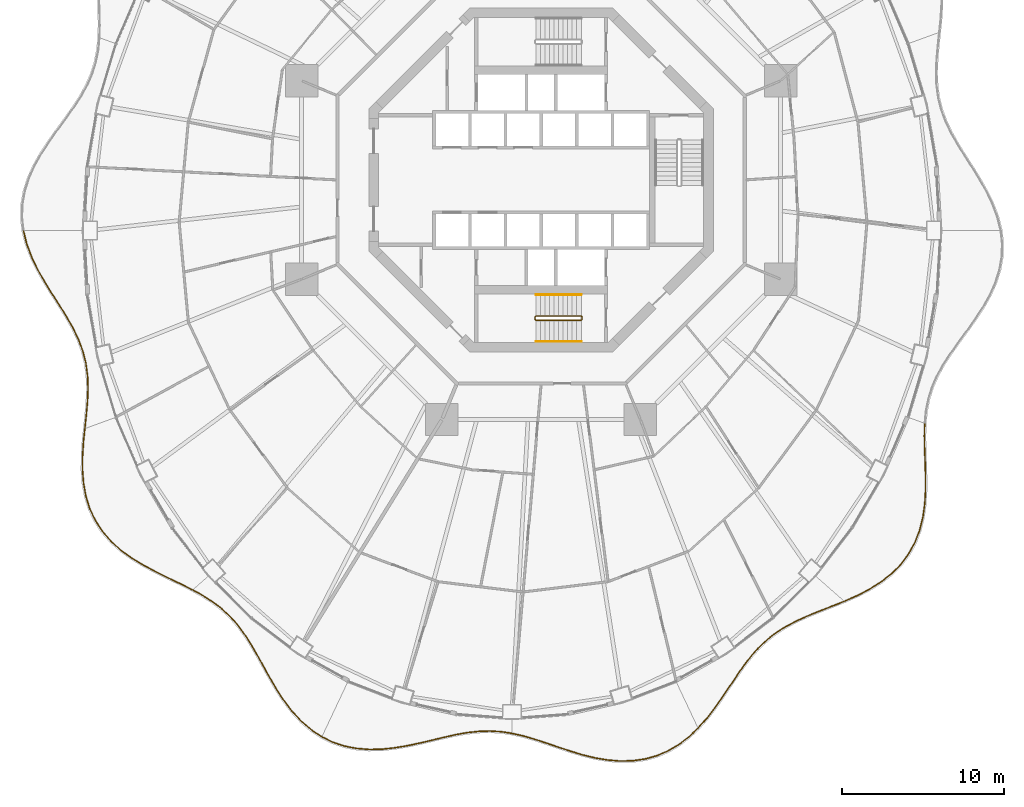
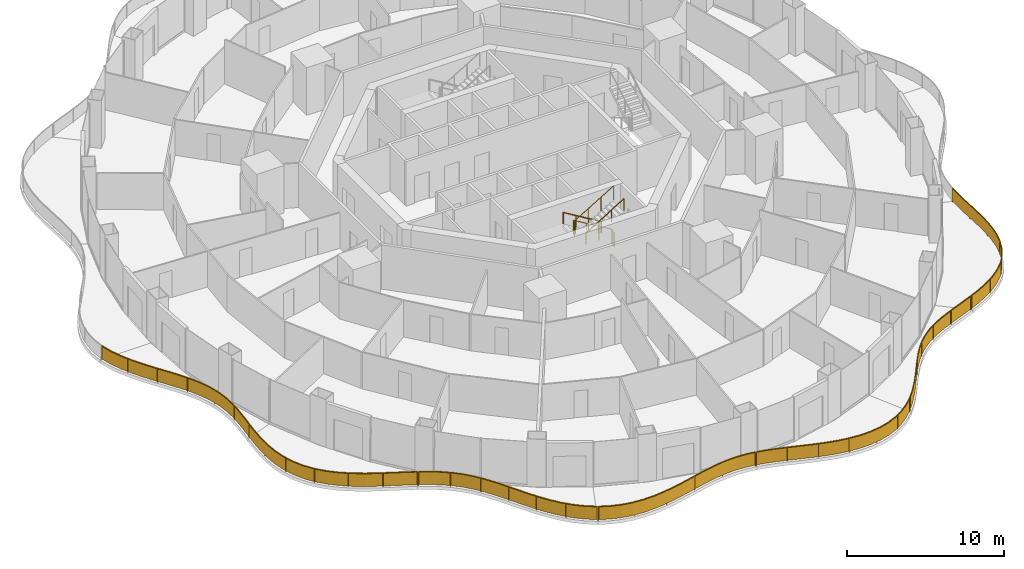
# One storey, part 17 of 19: 10 railings.
"""IFC4 building model written with IfcOpenShell, lengths in metres."""

from ifc_helpers import new_model, si_unit, direction, frame, origin, origin_2d, place, context, subcontext, project, spatial, polyline, rectangle, circle, outline, extrude, material, type_object, element, save


model = new_model("IFC4")

# Units and contexts
model_context = context("Model", 3, precision=1e-05, world=origin(), true_north=direction((0.0, 1.0)))
body_context = subcontext(model_context, "Body", "Model", "MODEL_VIEW")
ifc_project = project(units=[si_unit("LENGTHUNIT", "METRE"), si_unit("AREAUNIT", "SQUARE_METRE"), si_unit("VOLUMEUNIT", "CUBIC_METRE"), si_unit("PLANEANGLEUNIT", "RADIAN"), si_unit("MASSUNIT", "GRAM", prefix="KILO")], contexts=[model_context])

# Site, building, storey
site_placement = place(None, origin())
site = spatial("IfcSite", under=ifc_project, at=site_placement, CompositionType="ELEMENT")
building_placement = place(site_placement, origin())
building = spatial("IfcBuilding", under=site, at=building_placement, Name="Nagisa Residences", CompositionType="ELEMENT")
storey_placement = place(building_placement, frame((0.0, 0.0, 149.199951171875)))
storey = spatial("IfcBuildingStorey", under=building, at=storey_placement, Name="L37", CompositionType="ELEMENT", Elevation=149.199951171875)

# Railings
ifc_material_1 = material(Name="Stainless steel 316", Category="steel")
railing_type_1 = type_object("IfcRailingType", Name="BALCONY GUARD 1100", PredefinedType="BALUSTRADE", material=ifc_material_1)
railing_1_placement = place(storey_placement, frame((-31.9462890625, -3.1552734375, 0.0)))
element("IfcRailing", 1, at=railing_1_placement, inside=storey, type_object=railing_type_1, Name="guard:L37:bal08-0", PredefinedType="BALUSTRADE", context=body_context, shape_type="SweptSolid", body=[
    extrude(outline(polyline([(0.213623046875, -0.76123046875), (0.0244140625, 0.006103515625), (-0.0244140625, -0.006103515625), (0.165771484375, -0.77587890625), (0.4638671875, -1.5791015625), (0.840576171875, -2.365478515625), (1.273193359375, -3.1328125), (1.735595703125, -3.88037109375), (2.200439453125, -4.5966796875), (2.64501953125, -5.313232421875), (3.045166015625, -6.0224609375), (3.3828125, -6.731201171875), (3.645751953125, -7.447265625), (3.82421875, -8.16455078125), (3.92578125, -8.9169921875), (3.9541015625, -9.6953125), (3.923095703125, -10.502197265625), (3.850830078125, -11.33642578125), (3.7626953125, -12.14990234375), (3.8125, -12.1552734375), (3.900634765625, -11.34130859375), (3.972900390625, -10.505126953125), (4.00439453125, -9.6953125), (3.9755859375, -8.91259765625), (3.87353515625, -8.1552734375), (3.693603515625, -7.4326171875), (3.42919921875, -6.711669921875), (3.089599609375, -5.99951171875), (2.68798828125, -5.287841796875), (2.242919921875, -4.56982421875), (1.778076171875, -3.853515625), (1.316162109375, -3.107421875), (0.885009765625, -2.342529296875), (0.509765625, -1.5595703125), (0.213623046875, -0.76123046875)])), frame((0.0, 0.0, 1.050048828125)), (0.0, 0.0, 1.0), 0.050048828125),
    extrude(outline(polyline([(0.1962890625, -0.7666015625), (0.0068359375, 0.001708984375), (-0.0068359375, -0.001708984375), (0.18310546875, -0.7705078125), (0.48046875, -1.572021484375), (0.856689453125, -2.357177734375), (1.28857421875, -3.123779296875), (1.7509765625, -3.87060546875), (2.2158203125, -4.5869140625), (2.660400390625, -5.30419921875), (3.061279296875, -6.01416015625), (3.399658203125, -6.72412109375), (3.6630859375, -7.44189453125), (3.842041015625, -8.1611328125), (3.943603515625, -8.915283203125), (3.97216796875, -9.6953125), (3.94091796875, -10.503173828125), (3.86865234375, -11.338134765625), (3.780517578125, -12.15185546875), (3.794677734375, -12.1533203125), (3.8828125, -11.339599609375), (3.955078125, -10.504150390625), (3.986328125, -9.6953125), (3.957763671875, -8.914306640625), (3.855712890625, -8.15869140625), (3.67626953125, -7.43798828125), (3.412353515625, -6.71875), (3.073486328125, -6.0078125), (2.672607421875, -5.296875), (2.2275390625, -4.57958984375), (1.7626953125, -3.86328125), (1.30078125, -3.116455078125), (0.868896484375, -2.350830078125), (0.4931640625, -1.566650390625), (0.1962890625, -0.7666015625)])), frame((0.0, 0.0, 0.06005859375)), (0.0, 0.0, 1.0), 0.989990234375),
    extrude(rectangle(XDim=0.0400390625, YDim=0.0400390625, at=origin_2d()), origin(), (0.0, 0.0, 1.0), 1.050048828125),
    extrude(rectangle(XDim=0.0400390625, YDim=0.0400390625, at=origin_2d()), frame((0.718505859375, -2.052734375, 0.0)), (0.0, 0.0, 1.0), 1.050048828125),
    extrude(rectangle(XDim=0.0400390625, YDim=0.0400390625, at=origin_2d()), frame((1.8056640625, -3.9423828125, 0.0)), (0.0, 0.0, 1.0), 1.050048828125),
    extrude(rectangle(XDim=0.0400390625, YDim=0.0400390625, at=origin_2d()), frame((2.9482421875, -5.800048828125, 0.0)), (0.0, 0.0, 1.0), 1.050048828125),
    extrude(rectangle(XDim=0.0400390625, YDim=0.0400390625, at=origin_2d()), frame((3.76318359375, -7.815673828125, 0.0)), (0.0, 0.0, 1.0), 1.050048828125),
    extrude(rectangle(XDim=0.0400390625, YDim=0.0400390625, at=origin_2d()), frame((3.96826171875, -9.979248046875, 0.0)), (0.0, 0.0, 1.0), 1.050048828125),
    extrude(rectangle(XDim=0.0400390625, YDim=0.0400390625, at=origin_2d()), frame((3.78759765625, -12.152587890625, 0.0)), (0.0, 0.0, 1.0), 1.050048828125),
])
railing_2_placement = place(storey_placement, frame((-28.168212890625, -15.383544921875, 0.0)))
element("IfcRailing", 2, at=railing_2_placement, inside=storey, type_object=railing_type_1, Name="guard:L37:bal09-0", PredefinedType="BALUSTRADE", context=body_context, shape_type="SweptSolid", body=[
    extrude(outline(polyline([(-0.055419921875, -0.8046875), (0.02490234375, -0.00244140625), (-0.02490234375, 0.00244140625), (-0.105224609375, -0.80078125), (-0.159423828125, -1.65625), (-0.16357421875, -2.509033203125), (-0.098388671875, -3.347412109375), (0.05126953125, -4.16015625), (0.289306640625, -4.9228515625), (0.634033203125, -5.651611328125), (1.078125, -6.326171875), (1.615234375, -6.94140625), (2.23388671875, -7.496826171875), (2.91015625, -7.982177734375), (3.642578125, -8.428955078125), (4.40283203125, -8.835205078125), (5.17041015625, -9.212890625), (5.9267578125, -9.576904296875), (6.6162109375, -9.921875), (6.638671875, -9.876953125), (5.94873046875, -9.531982421875), (5.1923828125, -9.16796875), (4.42578125, -8.790771484375), (3.66748046875, -8.385498046875), (2.93798828125, -7.940185546875), (2.26513671875, -7.457763671875), (1.65087890625, -6.90625), (1.1181640625, -6.2958984375), (0.677978515625, -5.627197265625), (0.336181640625, -4.90478515625), (0.10009765625, -4.14794921875), (-0.048583984375, -3.341064453125), (-0.11328125, -2.507080078125), (-0.109619140625, -1.65771484375), (-0.055419921875, -0.8046875)])), frame((0.0, 0.0, 1.050048828125)), (0.0, 0.0, 1.0), 0.050048828125),
    extrude(outline(polyline([(-0.0732421875, -0.80322265625), (0.007080078125, -0.000732421875), (-0.007080078125, 0.000732421875), (-0.08740234375, -0.80224609375), (-0.1416015625, -1.65673828125), (-0.1455078125, -2.50830078125), (-0.080322265625, -3.34521484375), (0.06884765625, -4.15576171875), (0.30615234375, -4.916259765625), (0.64990234375, -5.642822265625), (1.092529296875, -6.315185546875), (1.628173828125, -6.9287109375), (2.2451171875, -7.482666015625), (2.920166015625, -7.967041015625), (3.651611328125, -8.413330078125), (4.4111328125, -8.8193359375), (5.17822265625, -9.19677734375), (5.9345703125, -9.560791015625), (6.624267578125, -9.90576171875), (6.630615234375, -9.89306640625), (5.94091796875, -9.548095703125), (5.1845703125, -9.18408203125), (4.41748046875, -8.806640625), (3.658447265625, -8.401123046875), (2.927978515625, -7.955322265625), (2.25390625, -7.471923828125), (1.637939453125, -6.9189453125), (1.103759765625, -6.306884765625), (0.662109375, -5.635986328125), (0.3193359375, -4.911376953125), (0.08251953125, -4.15234375), (-0.066650390625, -3.34326171875), (-0.13134765625, -2.5078125), (-0.12744140625, -1.6572265625), (-0.0732421875, -0.80322265625)])), frame((0.0, 0.0, 0.06005859375)), (0.0, 0.0, 1.0), 0.989990234375),
    extrude(rectangle(XDim=0.0400390625, YDim=0.0400390625, at=origin_2d()), origin(), (0.0, 0.0, 1.0), 1.050048828125),
    extrude(rectangle(XDim=0.0400390625, YDim=0.0400390625, at=origin_2d()), frame((-0.136962890625, -2.19970703125, 0.0)), (0.0, 0.0, 1.0), 1.050048828125),
    extrude(rectangle(XDim=0.0400390625, YDim=0.0400390625, at=origin_2d()), frame((0.145751953125, -4.378662109375, 0.0)), (0.0, 0.0, 1.0), 1.050048828125),
    extrude(rectangle(XDim=0.0400390625, YDim=0.0400390625, at=origin_2d()), frame((1.123046875, -6.339599609375, 0.0)), (0.0, 0.0, 1.0), 1.050048828125),
    extrude(rectangle(XDim=0.0400390625, YDim=0.0400390625, at=origin_2d()), frame((2.738525390625, -7.828125, 0.0)), (0.0, 0.0, 1.0), 1.050048828125),
    extrude(rectangle(XDim=0.0400390625, YDim=0.0400390625, at=origin_2d()), frame((4.6474609375, -8.927734375, 0.0)), (0.0, 0.0, 1.0), 1.050048828125),
    extrude(rectangle(XDim=0.0400390625, YDim=0.0400390625, at=origin_2d()), frame((6.62744140625, -9.8994140625, 0.0)), (0.0, 0.0, 1.0), 1.050048828125),
])
railing_3_placement = place(storey_placement, frame((-21.474365234375, -25.3154296875, 0.0)))
element("IfcRailing", 3, at=railing_3_placement, inside=storey, type_object=railing_type_1, Name="guard:L37:bal10-0", PredefinedType="BALUSTRADE", context=body_context, shape_type="SweptSolid", body=[
    extrude(outline(polyline([(0.630859375, -0.3212890625), (0.01220703125, 0.02197265625), (-0.01220703125, -0.02197265625), (0.60498046875, -0.3642578125), (1.21435546875, -0.757080078125), (1.7744140625, -1.1884765625), (2.284912109375, -1.666259765625), (2.750732421875, -2.195068359375), (3.1669921875, -2.764892578125), (3.568115234375, -3.393310546875), (3.954833984375, -4.0625), (4.33984375, -4.76123046875), (4.7373046875, -5.474609375), (5.145751953125, -6.177001953125), (5.604736328125, -6.86865234375), (6.1083984375, -7.52099609375), (6.66357421875, -8.1171875), (7.272216796875, -8.640625), (7.892822265625, -9.05224609375), (7.920654296875, -9.0107421875), (7.302490234375, -8.6005859375), (6.6982421875, -8.0810546875), (6.146484375, -7.48876953125), (5.645263671875, -6.83935546875), (5.188232421875, -6.150634765625), (4.78076171875, -5.44970703125), (4.3837890625, -4.73681640625), (3.998291015625, -4.0380859375), (3.611083984375, -3.367431640625), (3.20849609375, -2.736572265625), (2.789794921875, -2.163818359375), (2.321044921875, -1.631591796875), (1.806640625, -1.150390625), (1.2431640625, -0.716064453125), (0.630859375, -0.3212890625)])), frame((0.0, 0.0, 1.050048828125)), (0.0, 0.0, 1.0), 0.050048828125),
    extrude(outline(polyline([(0.62158203125, -0.336669921875), (0.00341796875, 0.006103515625), (-0.00341796875, -0.006103515625), (0.6142578125, -0.348876953125), (1.224609375, -0.7421875), (1.785888671875, -1.1748046875), (2.2978515625, -1.65380859375), (2.764892578125, -2.183837890625), (3.181884765625, -2.754638671875), (3.58349609375, -3.384033203125), (3.970458984375, -4.0537109375), (4.355712890625, -4.75244140625), (4.7529296875, -5.465576171875), (5.1611328125, -6.16748046875), (5.619384765625, -6.858154296875), (6.1220703125, -7.509521484375), (6.676025390625, -8.104248046875), (7.283203125, -8.626220703125), (7.90283203125, -9.037353515625), (7.91064453125, -9.025634765625), (7.29150390625, -8.614990234375), (6.685791015625, -8.093994140625), (6.1328125, -7.500244140625), (5.630615234375, -6.849853515625), (5.1728515625, -6.16015625), (4.76513671875, -5.458740234375), (4.367919921875, -4.74560546875), (3.982666015625, -4.046875), (3.595703125, -3.376708984375), (3.193603515625, -2.746826171875), (2.775634765625, -2.175048828125), (2.30810546875, -1.64404296875), (1.795166015625, -1.1640625), (1.23291015625, -0.73095703125), (0.62158203125, -0.336669921875)])), frame((0.0, 0.0, 0.06005859375)), (0.0, 0.0, 1.0), 0.989990234375),
    extrude(rectangle(XDim=0.0400390625, YDim=0.0400390625, at=origin_2d()), origin(), (0.0, 0.0, 1.0), 1.050048828125),
    extrude(rectangle(XDim=0.0400390625, YDim=0.0400390625, at=origin_2d()), frame((1.70556640625, -1.103759765625, 0.0)), (0.0, 0.0, 1.0), 1.050048828125),
    extrude(rectangle(XDim=0.0400390625, YDim=0.0400390625, at=origin_2d()), frame((3.076416015625, -2.598388671875, 0.0)), (0.0, 0.0, 1.0), 1.050048828125),
    extrude(rectangle(XDim=0.0400390625, YDim=0.0400390625, at=origin_2d()), frame((4.134033203125, -4.335693359375, 0.0)), (0.0, 0.0, 1.0), 1.050048828125),
    extrude(rectangle(XDim=0.0400390625, YDim=0.0400390625, at=origin_2d()), frame((5.134521484375, -6.10791015625, 0.0)), (0.0, 0.0, 1.0), 1.050048828125),
    extrude(rectangle(XDim=0.0400390625, YDim=0.0400390625, at=origin_2d()), frame((6.345458984375, -7.739013671875, 0.0)), (0.0, 0.0, 1.0), 1.050048828125),
    extrude(rectangle(XDim=0.0400390625, YDim=0.0400390625, at=origin_2d()), frame((7.90673828125, -9.031494140625, 0.0)), (0.0, 0.0, 1.0), 1.050048828125),
])
railing_4_placement = place(storey_placement, frame((-13.500732421875, -34.385498046875, 0.0)))
element("IfcRailing", 4, at=railing_4_placement, inside=storey, type_object=railing_type_1, Name="guard:L37:bal11-0", PredefinedType="BALUSTRADE", context=body_context, shape_type="SweptSolid", body=[
    extrude(outline(polyline([(0.6484375, -0.287841796875), (0.010986328125, 0.0224609375), (-0.010986328125, -0.0224609375), (0.62939453125, -0.334228515625), (1.35400390625, -0.5751953125), (2.110595703125, -0.724609375), (2.890380859375, -0.786865234375), (3.683837890625, -0.770751953125), (4.465087890625, -0.68359375), (5.259033203125, -0.550537109375), (6.042236328125, -0.384033203125), (6.809326171875, -0.20263671875), (7.556884765625, -0.0244140625), (8.266845703125, 0.135986328125), (8.975341796875, 0.258056640625), (9.66796875, 0.332763671875), (10.349853515625, 0.35107421875), (11.026611328125, 0.3095703125), (11.66259765625, 0.214599609375), (11.669921875, 0.263916015625), (11.031982421875, 0.359375), (10.350830078125, 0.4013671875), (9.66455078125, 0.382568359375), (8.968505859375, 0.307861328125), (8.257080078125, 0.185302734375), (7.545654296875, 0.0244140625), (6.797607421875, -0.15380859375), (6.031494140625, -0.335205078125), (5.249755859375, -0.501220703125), (4.458251953125, -0.6337890625), (3.680419921875, -0.720947265625), (2.891845703125, -0.736572265625), (2.117431640625, -0.6748046875), (1.36669921875, -0.52685546875), (0.6484375, -0.287841796875)])), frame((0.0, 0.0, 1.050048828125)), (0.0, 0.0, 1.0), 0.050048828125),
    extrude(outline(polyline([(0.6416015625, -0.304443359375), (0.003173828125, 0.00634765625), (-0.003173828125, -0.00634765625), (0.63623046875, -0.317626953125), (1.358642578125, -0.557861328125), (2.113037109375, -0.70654296875), (2.890869140625, -0.768798828125), (3.6826171875, -0.7529296875), (4.462646484375, -0.66552734375), (5.255615234375, -0.53271484375), (6.038330078125, -0.366455078125), (6.80517578125, -0.18505859375), (7.552734375, -0.0068359375), (8.263427734375, 0.15380859375), (8.972900390625, 0.276123046875), (9.666748046875, 0.3505859375), (10.350341796875, 0.369140625), (11.028564453125, 0.327392578125), (11.665283203125, 0.232421875), (11.667236328125, 0.24609375), (11.030029296875, 0.341552734375), (10.350341796875, 0.38330078125), (9.665771484375, 0.36474609375), (8.970947265625, 0.289794921875), (8.260498046875, 0.16748046875), (7.5498046875, 0.0068359375), (6.8017578125, -0.17138671875), (6.035400390625, -0.352783203125), (5.253173828125, -0.51904296875), (4.460693359375, -0.65185546875), (3.681640625, -0.73876953125), (2.891357421875, -0.754638671875), (2.114990234375, -0.69287109375), (1.362060546875, -0.544189453125), (0.6416015625, -0.304443359375)])), frame((0.0, 0.0, 0.06005859375)), (0.0, 0.0, 1.0), 0.989990234375),
    extrude(rectangle(XDim=0.0400390625, YDim=0.0400390625, at=origin_2d()), origin(), (0.0, 0.0, 1.0), 1.050048828125),
    extrude(rectangle(XDim=0.0400390625, YDim=0.0400390625, at=origin_2d()), frame((2.256591796875, -0.711181640625, 0.0)), (0.0, 0.0, 1.0), 1.050048828125),
    extrude(rectangle(XDim=0.0400390625, YDim=0.0400390625, at=origin_2d()), frame((4.62939453125, -0.630615234375, 0.0)), (0.0, 0.0, 1.0), 1.050048828125),
    extrude(rectangle(XDim=0.0400390625, YDim=0.0400390625, at=origin_2d()), frame((6.959716796875, -0.14111328125, 0.0)), (0.0, 0.0, 1.0), 1.050048828125),
    extrude(rectangle(XDim=0.0400390625, YDim=0.0400390625, at=origin_2d()), frame((9.294921875, 0.317626953125, 0.0)), (0.0, 0.0, 1.0), 1.050048828125),
    extrude(rectangle(XDim=0.0400390625, YDim=0.0400390625, at=origin_2d()), frame((11.666259765625, 0.2392578125, 0.0)), (0.0, 0.0, 1.0), 1.050048828125),
])
railing_5_placement = place(storey_placement, frame((-1.765869140625, -34.160888671875, 0.0)))
element("IfcRailing", 5, at=railing_5_placement, inside=storey, type_object=railing_type_1, Name="guard:L37:bal12-0", PredefinedType="BALUSTRADE", context=body_context, shape_type="SweptSolid", body=[
    extrude(outline(polyline([(0.65087890625, -0.123046875), (0.005615234375, 0.0244140625), (-0.005615234375, -0.0244140625), (0.63818359375, -0.17138671875), (1.337158203125, -0.37255859375), (2.052978515625, -0.606201171875), (2.787353515625, -0.856689453125), (3.540771484375, -1.10595703125), (4.293701171875, -1.337890625), (5.07666015625, -1.5283203125), (5.866455078125, -1.6630859375), (6.655517578125, -1.7265625), (7.435791015625, -1.706298828125), (8.180908203125, -1.60009765625), (8.91650390625, -1.393310546875), (9.61865234375, -1.091552734375), (10.28076171875, -0.69970703125), (10.900146484375, -0.22705078125), (11.438232421875, 0.283203125), (11.403564453125, 0.3193359375), (10.867431640625, -0.18896484375), (10.2529296875, -0.658203125), (9.595703125, -1.046630859375), (8.89990234375, -1.345947265625), (8.170654296875, -1.55078125), (7.431396484375, -1.656494140625), (6.656982421875, -1.67626953125), (5.872802734375, -1.61328125), (5.0869140625, -1.4794921875), (4.306884765625, -1.28955078125), (3.555908203125, -1.05810546875), (2.803466796875, -0.809326171875), (2.068603515625, -0.558837890625), (1.351806640625, -0.32470703125), (0.65087890625, -0.123046875)])), frame((0.0, 0.0, 1.050048828125)), (0.0, 0.0, 1.0), 0.050048828125),
    extrude(outline(polyline([(0.646240234375, -0.140380859375), (0.00146484375, 0.0068359375), (-0.00146484375, -0.0068359375), (0.642822265625, -0.154052734375), (1.342529296875, -0.355224609375), (2.05859375, -0.589111328125), (2.793212890625, -0.839599609375), (3.546142578125, -1.088623046875), (4.29833984375, -1.320556640625), (5.080322265625, -1.5107421875), (5.86865234375, -1.64501953125), (6.656005859375, -1.70849609375), (7.43408203125, -1.6884765625), (8.17724609375, -1.582275390625), (8.91064453125, -1.376220703125), (9.6103515625, -1.075439453125), (10.270751953125, -0.684814453125), (10.888427734375, -0.21337890625), (11.42578125, 0.296142578125), (11.416015625, 0.306396484375), (10.879150390625, -0.20263671875), (10.262939453125, -0.673095703125), (9.60400390625, -1.062744140625), (8.90576171875, -1.363037109375), (8.17431640625, -1.568603515625), (7.43310546875, -1.67431640625), (6.656494140625, -1.6943359375), (5.87060546875, -1.63134765625), (5.083251953125, -1.4970703125), (4.30224609375, -1.306884765625), (3.550537109375, -1.075439453125), (2.797607421875, -0.826416015625), (2.06298828125, -0.575927734375), (1.346435546875, -0.342041015625), (0.646240234375, -0.140380859375)])), frame((0.0, 0.0, 0.06005859375)), (0.0, 0.0, 1.0), 0.989990234375),
    extrude(rectangle(XDim=0.0400390625, YDim=0.0400390625, at=origin_2d()), origin(), (0.0, 0.0, 1.0), 1.050048828125),
    extrude(rectangle(XDim=0.0400390625, YDim=0.0400390625, at=origin_2d()), frame((1.960205078125, -0.5498046875, 0.0)), (0.0, 0.0, 1.0), 1.050048828125),
    extrude(rectangle(XDim=0.0400390625, YDim=0.0400390625, at=origin_2d()), frame((3.89453125, -1.188720703125, 0.0)), (0.0, 0.0, 1.0), 1.050048828125),
    extrude(rectangle(XDim=0.0400390625, YDim=0.0400390625, at=origin_2d()), frame((5.878662109375, -1.638916015625, 0.0)), (0.0, 0.0, 1.0), 1.050048828125),
    extrude(rectangle(XDim=0.0400390625, YDim=0.0400390625, at=origin_2d()), frame((7.908447265625, -1.613525390625, 0.0)), (0.0, 0.0, 1.0), 1.050048828125),
    extrude(rectangle(XDim=0.0400390625, YDim=0.0400390625, at=origin_2d()), frame((9.818359375, -0.944091796875, 0.0)), (0.0, 0.0, 1.0), 1.050048828125),
    extrude(rectangle(XDim=0.0400390625, YDim=0.0400390625, at=origin_2d()), frame((11.4208984375, 0.30126953125, 0.0)), (0.0, 0.0, 1.0), 1.050048828125),
])
railing_6_placement = place(storey_placement, frame((9.70849609375, -33.803466796875, 0.0)))
element("IfcRailing", 6, at=railing_6_placement, inside=storey, type_object=railing_type_1, Name="guard:L37:bal13-0", PredefinedType="BALUSTRADE", context=body_context, shape_type="SweptSolid", body=[
    extrude(outline(polyline([(0.49755859375, 0.599365234375), (-0.018798828125, 0.0166015625), (0.018798828125, -0.0166015625), (0.5361328125, 0.567138671875), (1.04638671875, 1.22412109375), (1.523193359375, 1.900634765625), (1.976806640625, 2.57763671875), (2.4189453125, 3.237548828125), (2.84765625, 3.8564453125), (3.303466796875, 4.440673828125), (3.783935546875, 4.973876953125), (4.299072265625, 5.452880859375), (4.85546875, 5.87841796875), (5.445556640625, 6.244873046875), (6.09375, 6.582275390625), (6.783447265625, 6.890869140625), (7.50830078125, 7.1845703125), (8.256591796875, 7.477294921875), (8.972900390625, 7.764404296875), (8.954345703125, 7.810791015625), (8.238037109375, 7.523681640625), (7.48974609375, 7.23095703125), (6.763916015625, 6.936767578125), (6.07177734375, 6.627197265625), (5.420654296875, 6.288330078125), (4.8271484375, 5.91943359375), (4.266845703125, 5.490966796875), (3.748291015625, 5.009033203125), (3.264892578125, 4.472900390625), (2.80712890625, 3.88623046875), (2.37744140625, 3.265869140625), (1.935302734375, 2.60546875), (1.482177734375, 1.928955078125), (1.00634765625, 1.25390625), (0.49755859375, 0.599365234375)])), frame((0.0, 0.0, 1.050048828125)), (0.0, 0.0, 1.0), 0.050048828125),
    extrude(outline(polyline([(0.511474609375, 0.587646484375), (-0.005126953125, 0.004638671875), (0.005126953125, -0.004638671875), (0.522216796875, 0.578857421875), (1.031982421875, 1.23486328125), (1.508544921875, 1.910888671875), (1.9619140625, 2.587646484375), (2.404052734375, 3.247802734375), (2.8330078125, 3.8671875), (3.28955078125, 4.452392578125), (3.77099609375, 4.986572265625), (4.28759765625, 5.466552734375), (4.84521484375, 5.89306640625), (5.4365234375, 6.260498046875), (6.085693359375, 6.598388671875), (6.7763671875, 6.907470703125), (7.501708984375, 7.201171875), (8.25, 7.493896484375), (8.96630859375, 7.781005859375), (8.9609375, 7.794189453125), (8.24462890625, 7.507080078125), (7.496337890625, 7.21435546875), (6.77099609375, 6.920166015625), (6.079833984375, 6.611083984375), (5.4296875, 6.272705078125), (4.83740234375, 5.90478515625), (4.2783203125, 5.477294921875), (3.76123046875, 4.996337890625), (3.27880859375, 4.461181640625), (2.82177734375, 3.87548828125), (2.392333984375, 3.255615234375), (1.9501953125, 2.595458984375), (1.496826171875, 1.918701171875), (1.020751953125, 1.2431640625), (0.511474609375, 0.587646484375)])), frame((0.0, 0.0, 0.06005859375)), (0.0, 0.0, 1.0), 0.989990234375),
    extrude(rectangle(XDim=0.0400390625, YDim=0.0400390625, at=origin_2d()), origin(), (0.0, 0.0, 1.0), 1.050048828125),
    extrude(rectangle(XDim=0.0400390625, YDim=0.0400390625, at=origin_2d()), frame((1.271728515625, 1.587158203125, 0.0)), (0.0, 0.0, 1.0), 1.050048828125),
    extrude(rectangle(XDim=0.0400390625, YDim=0.0400390625, at=origin_2d()), frame((2.412841796875, 3.27294921875, 0.0)), (0.0, 0.0, 1.0), 1.050048828125),
    extrude(rectangle(XDim=0.0400390625, YDim=0.0400390625, at=origin_2d()), frame((3.66259765625, 4.87646484375, 0.0)), (0.0, 0.0, 1.0), 1.050048828125),
    extrude(rectangle(XDim=0.0400390625, YDim=0.0400390625, at=origin_2d()), frame((5.24267578125, 6.148193359375, 0.0)), (0.0, 0.0, 1.0), 1.050048828125),
    extrude(rectangle(XDim=0.0400390625, YDim=0.0400390625, at=origin_2d()), frame((7.072265625, 7.034912109375, 0.0)), (0.0, 0.0, 1.0), 1.050048828125),
    extrude(rectangle(XDim=0.0400390625, YDim=0.0400390625, at=origin_2d()), frame((8.963623046875, 7.78759765625, 0.0)), (0.0, 0.0, 1.0), 1.050048828125),
])
railing_7_placement = place(storey_placement, frame((18.743408203125, -25.9873046875, 0.0)))
element("IfcRailing", 7, at=railing_7_placement, inside=storey, type_object=railing_type_1, Name="guard:L37:bal14-0", PredefinedType="BALUSTRADE", context=body_context, shape_type="SweptSolid", body=[
    extrude(outline(polyline([(0.736572265625, 0.352783203125), (-0.010009765625, 0.02294921875), (0.010009765625, -0.02294921875), (0.758056640625, 0.307861328125), (1.521240234375, 0.703857421875), (2.239013671875, 1.155029296875), (2.893798828125, 1.669189453125), (3.469970703125, 2.2490234375), (3.94921875, 2.8837890625), (4.3408203125, 3.59130859375), (4.63525390625, 4.3525390625), (4.83740234375, 5.15673828125), (4.95703125, 5.99169921875), (5.002197265625, 6.83154296875), (5.005126953125, 7.689697265625), (4.979248046875, 8.54150390625), (4.94775390625, 9.377197265625), (4.9326171875, 10.189208984375), (4.95068359375, 10.930419921875), (4.90087890625, 10.931884765625), (4.88232421875, 10.189208984375), (4.89794921875, 9.375732421875), (4.929443359375, 8.5400390625), (4.954833984375, 7.689208984375), (4.952392578125, 6.8330078125), (4.9072265625, 5.99658203125), (4.7880859375, 5.16650390625), (4.58740234375, 4.36767578125), (4.29541015625, 3.61279296875), (3.9072265625, 2.9111328125), (3.431884765625, 2.28173828125), (2.860595703125, 1.706787109375), (2.210205078125, 1.196044921875), (1.496337890625, 0.747314453125), (0.736572265625, 0.352783203125)])), frame((0.0, 0.0, 1.050048828125)), (0.0, 0.0, 1.0), 0.050048828125),
    extrude(outline(polyline([(0.744384765625, 0.336669921875), (-0.0029296875, 0.00634765625), (0.0029296875, -0.00634765625), (0.750244140625, 0.323974609375), (1.51220703125, 0.719482421875), (2.228759765625, 1.169921875), (2.8818359375, 1.682861328125), (3.456298828125, 2.2607421875), (3.93408203125, 2.8935546875), (4.324462890625, 3.59912109375), (4.617919921875, 4.35791015625), (4.819580078125, 5.16015625), (4.939208984375, 5.993408203125), (4.984375, 6.83203125), (4.987060546875, 7.689453125), (4.96142578125, 8.541015625), (4.929931640625, 9.376708984375), (4.91455078125, 10.189208984375), (4.932861328125, 10.930908203125), (4.918701171875, 10.931396484375), (4.900390625, 10.189208984375), (4.915771484375, 9.376220703125), (4.947265625, 8.54052734375), (4.972900390625, 7.689453125), (4.97021484375, 6.83251953125), (4.925048828125, 5.994873046875), (4.805908203125, 5.1630859375), (4.604736328125, 4.3623046875), (4.311767578125, 3.60498046875), (3.92236328125, 2.9013671875), (3.445556640625, 2.27001953125), (2.87255859375, 1.693115234375), (2.220458984375, 1.18115234375), (1.50537109375, 0.731689453125), (0.744384765625, 0.336669921875)])), frame((0.0, 0.0, 0.06005859375)), (0.0, 0.0, 1.0), 0.989990234375),
    extrude(rectangle(XDim=0.0400390625, YDim=0.0400390625, at=origin_2d()), origin(), (0.0, 0.0, 1.0), 1.050048828125),
    extrude(rectangle(XDim=0.0400390625, YDim=0.0400390625, at=origin_2d()), frame((1.95068359375, 1.00341796875, 0.0)), (0.0, 0.0, 1.0), 1.050048828125),
    extrude(rectangle(XDim=0.0400390625, YDim=0.0400390625, at=origin_2d()), frame((3.58935546875, 2.448486328125, 0.0)), (0.0, 0.0, 1.0), 1.050048828125),
    extrude(rectangle(XDim=0.0400390625, YDim=0.0400390625, at=origin_2d()), frame((4.615234375, 4.3759765625, 0.0)), (0.0, 0.0, 1.0), 1.050048828125),
    extrude(rectangle(XDim=0.0400390625, YDim=0.0400390625, at=origin_2d()), frame((4.96142578125, 6.5390625, 0.0)), (0.0, 0.0, 1.0), 1.050048828125),
    extrude(rectangle(XDim=0.0400390625, YDim=0.0400390625, at=origin_2d()), frame((4.947021484375, 8.735107421875, 0.0)), (0.0, 0.0, 1.0), 1.050048828125),
    extrude(rectangle(XDim=0.0400390625, YDim=0.0400390625, at=origin_2d()), frame((4.92578125, 10.93115234375, 0.0)), (0.0, 0.0, 1.0), 1.050048828125),
])
ifc_material_2 = material(Name="Stainless steel", Category="steel")
railing_type_2 = type_object("IfcRailingType", Name="Stair guard 1100", PredefinedType="GUARDRAIL", material=ifc_material_2)
railing_8_placement = place(storey_placement, frame((2.52490234375, -8.599609375, 0.0)))
element("IfcRailing", 8, at=railing_8_placement, inside=storey, type_object=railing_type_2, Name="L37 ST-S stair guard 1", PredefinedType="GUARDRAIL", context=body_context, shape_type="SweptSolid", body=[
    extrude(circle(Radius=0.02392578125, at=origin_2d()), frame((0.0, 0.0, 1.076171875), z_axis=(0.0, 1.0, 0.0), x_axis=(-1.0, 0.0, 0.0)), (0.0, 0.0, 1.0), 0.14990234375),
    extrude(circle(Radius=0.02392578125, at=origin_2d()), frame((0.0, 0.14990234375, 1.076171875), z_axis=(-0.273006030465, 0.27434429532, 0.922064485248), x_axis=(-0.708833529934, -0.705375805398, 0.0)), (0.0, 0.0, 1.0), 0.182373046875),
    extrude(circle(Radius=0.02392578125, at=origin_2d()), frame((-0.0498046875, 0.199951171875, 1.244140625), z_axis=(-0.857242210791, 0.0, 0.514913383045), x_axis=(0.0, -1.0, 0.0)), (0.0, 0.0, 1.0), 3.266357421875),
    extrude(circle(Radius=0.02392578125, at=origin_2d()), frame((-2.849853515625, 0.199951171875, 2.92626953125), z_axis=(-0.707106781187, -0.707106781187, 0.0), x_axis=(0.707106781187, -0.707106781187, 0.0)), (0.0, 0.0, 1.0), 0.07080078125),
    extrude(circle(Radius=0.02392578125, at=origin_2d()), frame((-2.89990234375, 0.14990234375, 2.92626953125), z_axis=(0.0, -1.0, 0.0), x_axis=(1.0, 0.0, 0.0)), (0.0, 0.0, 1.0), 0.14990234375),
    extrude(circle(Radius=0.02392578125, at=origin_2d()), frame((-2.89990234375, 0.0, 2.92626953125), z_axis=(0.274243871929, -0.274243871929, 0.92172696468), x_axis=(0.707106781187, 0.707106781187, 0.0)), (0.0, 0.0, 1.0), 0.1826171875),
    extrude(circle(Radius=0.02392578125, at=origin_2d()), frame((-2.849853515625, -0.050048828125, 3.09423828125), z_axis=(0.857275202839, 0.0, 0.514858452973), x_axis=(0.0, 1.0, 0.0)), (0.0, 0.0, 1.0), 3.26611328125),
    extrude(circle(Radius=0.02099609375, at=origin_2d()), origin(), (0.0, 0.0, 1.0), 1.052001953125),
    extrude(circle(Radius=0.02099609375, at=origin_2d()), frame((0.0, 0.14990234375, 0.0)), (0.0, 0.0, 1.0), 1.052001953125),
    extrude(circle(Radius=0.02099609375, at=origin_2d()), frame((-0.0498046875, 0.199951171875, 0.168212890625)), (0.0, 0.0, 1.0), 1.052001953125),
    extrude(circle(Radius=0.02099609375, at=origin_2d()), frame((-0.983154296875, 0.199951171875, 0.728759765625)), (0.0, 0.0, 1.0), 1.052001953125),
    extrude(circle(Radius=0.02099609375, at=origin_2d()), frame((-1.91650390625, 0.199951171875, 1.28955078125)), (0.0, 0.0, 1.0), 1.052001953125),
    extrude(circle(Radius=0.02099609375, at=origin_2d()), frame((-2.849853515625, 0.199951171875, 1.85009765625)), (0.0, 0.0, 1.0), 1.052001953125),
    extrude(circle(Radius=0.02099609375, at=origin_2d()), frame((-2.89990234375, 0.14990234375, 1.85009765625)), (0.0, 0.0, 1.0), 1.052001953125),
    extrude(circle(Radius=0.02099609375, at=origin_2d()), frame((-2.89990234375, 0.0, 1.85009765625)), (0.0, 0.0, 1.0), 1.052001953125),
    extrude(circle(Radius=0.02099609375, at=origin_2d()), frame((-2.849853515625, -0.050048828125, 2.018310546875)), (0.0, 0.0, 1.0), 1.052001953125),
    extrude(circle(Radius=0.02099609375, at=origin_2d()), frame((-1.91650390625, -0.050048828125, 2.578857421875)), (0.0, 0.0, 1.0), 1.052001953125),
    extrude(circle(Radius=0.02099609375, at=origin_2d()), frame((-0.983154296875, -0.050048828125, 3.139404296875)), (0.0, 0.0, 1.0), 1.052001953125),
    extrude(circle(Radius=0.02099609375, at=origin_2d()), frame((-0.0498046875, -0.050048828125, 3.699951171875)), (0.0, 0.0, 1.0), 1.052001953125),
])
ifc_material_3 = material(Name="Stainless steel", Category="steel")
railing_type_3 = type_object("IfcRailingType", Name="Stair handrail 900", PredefinedType="HANDRAIL", material=ifc_material_3)
railing_9_placement = place(storey_placement, frame((2.47509765625, -7.07470703125, 0.168212890625)))
element("IfcRailing", 9, at=railing_9_placement, inside=storey, type_object=railing_type_3, Name="L37 ST-S stair handrail 1", PredefinedType="HANDRAIL", context=body_context, shape_type="SweptSolid", body=[
    extrude(circle(Radius=0.02392578125, at=origin_2d()), frame((0.0, 0.0, 0.8759765625), z_axis=(-0.857242210791, 0.0, 0.514913383045), x_axis=(0.0, -1.0, 0.0)), (0.0, 0.0, 1.0), 3.266357421875),
    extrude(circle(Radius=0.02099609375, at=origin_2d()), origin(), (0.0, 0.0, 1.0), 0.851806640625),
    extrude(circle(Radius=0.02099609375, at=origin_2d()), frame((-0.933349609375, 0.0, 0.560546875)), (0.0, 0.0, 1.0), 0.851806640625),
    extrude(circle(Radius=0.02099609375, at=origin_2d()), frame((-1.86669921875, 0.0, 1.121337890625)), (0.0, 0.0, 1.0), 0.851806640625),
    extrude(circle(Radius=0.02099609375, at=origin_2d()), frame((-2.800048828125, 0.0, 1.681884765625)), (0.0, 0.0, 1.0), 0.851806640625),
])
railing_10_placement = place(storey_placement, frame((-0.324951171875, -9.974609375, 2.018310546875)))
element("IfcRailing", 10, at=railing_10_placement, inside=storey, type_object=railing_type_3, Name="L37 ST-S stair handrail 2", PredefinedType="HANDRAIL", context=body_context, shape_type="SweptSolid", body=[
    extrude(circle(Radius=0.02392578125, at=origin_2d()), frame((0.0, 0.0, 0.8759765625), z_axis=(0.857275202839, 0.0, 0.514858452973), x_axis=(0.0, 1.0, 0.0)), (0.0, 0.0, 1.0), 3.26611328125),
    extrude(circle(Radius=0.02099609375, at=origin_2d()), origin(), (0.0, 0.0, 1.0), 0.851806640625),
    extrude(circle(Radius=0.02099609375, at=origin_2d()), frame((0.933349609375, 0.0, 0.560546875)), (0.0, 0.0, 1.0), 0.851806640625),
    extrude(circle(Radius=0.02099609375, at=origin_2d()), frame((1.86669921875, 0.0, 1.12109375)), (0.0, 0.0, 1.0), 0.851806640625),
    extrude(circle(Radius=0.02099609375, at=origin_2d()), frame((2.800048828125, 0.0, 1.681640625)), (0.0, 0.0, 1.0), 0.851806640625),
])

save(model, "model.ifc")
